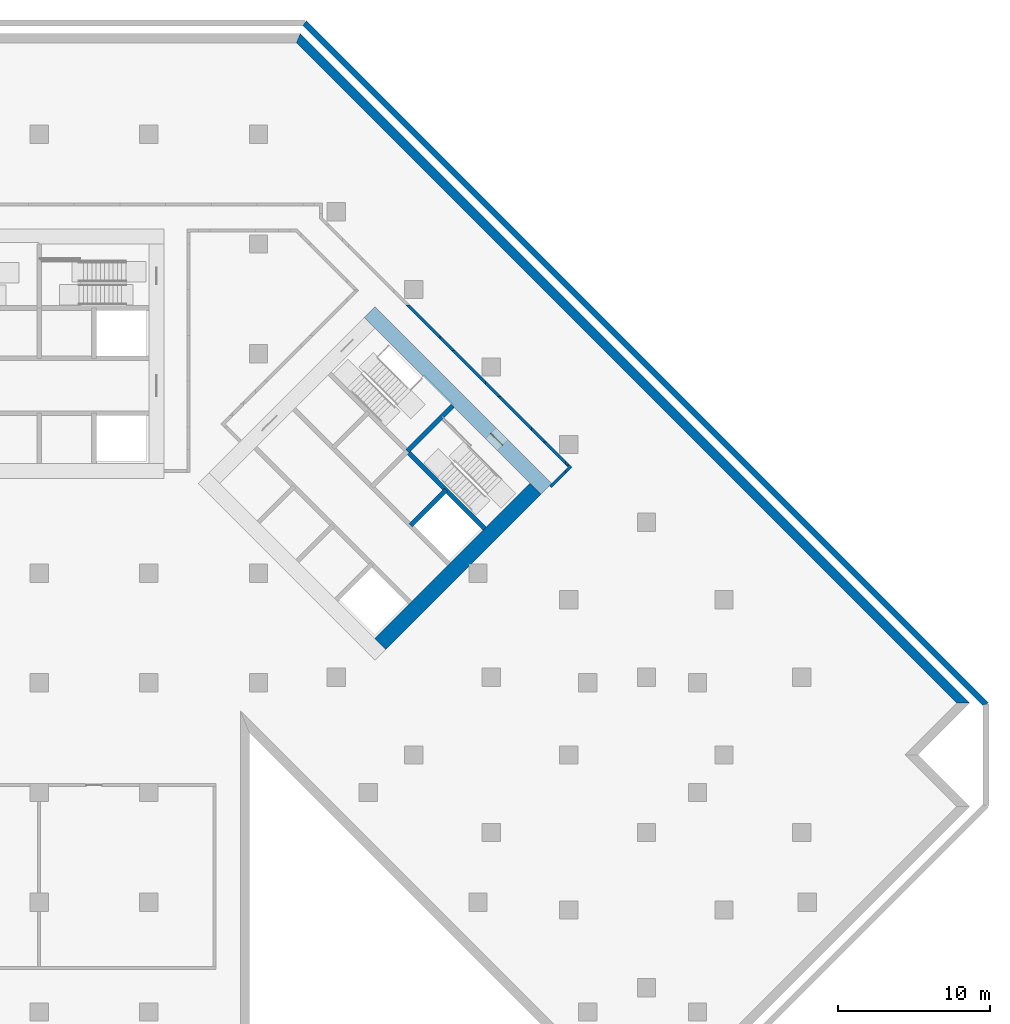
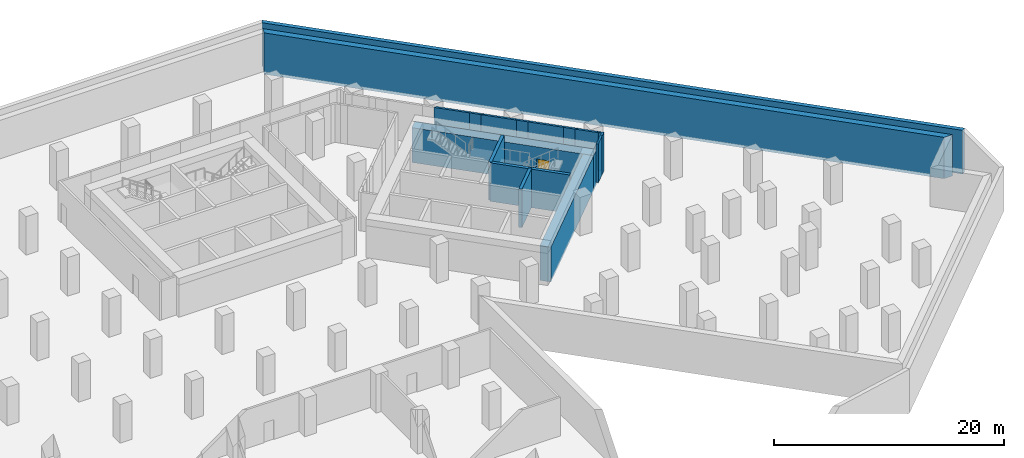
# One storey, part 6 of 11: 17 walls, 1 door, 1 opening.
"""IFC4 building model written with IfcOpenShell, lengths in metres."""

from ifc_helpers import new_model, si_unit, direction, frame, frame_2d, origin, place, context, subcontext, project, spatial, polyline, rectangle, outline, extrude, material, layer, layer_set, type_object, element, fill, save


model = new_model("IFC4")

# Units and contexts
model_context = context("Model", 3, precision=1e-05, world=origin(), true_north=direction((0.0, 1.0)))
body_context = subcontext(model_context, "Body", "Model", "MODEL_VIEW")
ifc_project = project(units=[si_unit("LENGTHUNIT", "METRE"), si_unit("AREAUNIT", "SQUARE_METRE"), si_unit("VOLUMEUNIT", "CUBIC_METRE"), si_unit("PLANEANGLEUNIT", "RADIAN"), si_unit("MASSUNIT", "GRAM", prefix="KILO")], contexts=[model_context])

# Site, building, storey
site_placement = place(None, origin())
site = spatial("IfcSite", under=ifc_project, at=site_placement, CompositionType="ELEMENT")
building_placement = place(site_placement, origin())
building = spatial("IfcBuilding", under=site, at=building_placement, Name="Windrow Commons", CompositionType="ELEMENT")
storey_placement = place(building_placement, frame((0.0, 0.0, -4.5)))
storey = spatial("IfcBuildingStorey", under=building, at=storey_placement, Name="B1", CompositionType="ELEMENT", Elevation=-4.5)

# Walls
ifc_material_1 = material(Name="Blockwork partition", Category="masonry")
ifc_layer_1 = layer(ifc_material_1, 0.2)
ifc_layer_set_1 = layer_set([ifc_layer_1], Name="CP-PART-200")
wall_type_1 = type_object("IfcWallType", Name="CP-PART-200", PredefinedType="PARTITIONING", material=ifc_layer_set_1)
placement = place(storey_placement, origin())
element("IfcWall", 1, at=placement, inside=storey, type_object=wall_type_1, Name="Escape corridor wall 47", PredefinedType="PARTITIONING", context=body_context, shape_type="SweptSolid", body=[
    extrude(outline(polyline([(91.1, 58.8272), (89.1203, 60.8069), (88.8375, 60.8069), (91.1, 58.5444), (91.1, 58.8272)])), origin(), (0.0, 0.0, 1.0), 4.1),
])
element("IfcWall", 2, at=placement, inside=storey, type_object=wall_type_1, Name="Escape corridor wall 48", PredefinedType="PARTITIONING", context=body_context, shape_type="SweptSolid", body=[
    extrude(outline(polyline([(92.1203, 57.8069), (91.1, 58.8272), (91.1, 58.5444), (91.8375, 57.8069), (92.1203, 57.8069)])), origin(), (0.0, 0.0, 1.0), 4.1),
])
element("IfcWall", 3, at=placement, inside=storey, type_object=wall_type_1, Name="Escape corridor wall 49", PredefinedType="PARTITIONING", context=body_context, shape_type="SweptSolid", body=[
    extrude(outline(polyline([(94.1, 55.8272), (92.1203, 57.8069), (91.8375, 57.8069), (94.1, 55.5444), (94.1, 55.8272)])), origin(), (0.0, 0.0, 1.0), 4.1),
])
element("IfcWall", 4, at=placement, inside=storey, type_object=wall_type_1, Name="Escape corridor wall 50", PredefinedType="PARTITIONING", context=body_context, shape_type="SweptSolid", body=[
    extrude(outline(polyline([(95.1203, 54.8069), (94.1, 55.8272), (94.1, 55.5444), (94.8375, 54.8069), (95.1203, 54.8069)])), origin(), (0.0, 0.0, 1.0), 4.1),
])
element("IfcWall", 5, at=placement, inside=storey, type_object=wall_type_1, Name="Escape corridor wall 51", PredefinedType="PARTITIONING", context=body_context, shape_type="SweptSolid", body=[
    extrude(outline(polyline([(97.1, 52.8272), (95.1203, 54.8069), (94.8375, 54.8069), (97.1, 52.5444), (97.1, 52.8272)])), origin(), (0.0, 0.0, 1.0), 4.1),
])
element("IfcWall", 6, at=placement, inside=storey, type_object=wall_type_1, Name="Escape corridor wall 52", PredefinedType="PARTITIONING", context=body_context, shape_type="SweptSolid", body=[
    extrude(outline(polyline([(98.1203, 51.8069), (97.1, 52.8272), (97.1, 52.5444), (97.8375, 51.8069), (98.1203, 51.8069)])), origin(), (0.0, 0.0, 1.0), 4.1),
])
element("IfcWall", 7, at=placement, inside=storey, type_object=wall_type_1, Name="Escape corridor wall 53", PredefinedType="PARTITIONING", context=body_context, shape_type="SweptSolid", body=[
    extrude(outline(polyline([(97.8375, 51.8069), (99.3375, 50.3069), (99.3375, 50.5897), (98.1203, 51.8069), (97.8375, 51.8069)])), origin(), (0.0, 0.0, 1.0), 4.1),
])
element("IfcWall", 8, at=placement, inside=storey, type_object=wall_type_1, Name="Escape corridor wall 54", PredefinedType="PARTITIONING", context=body_context, shape_type="SweptSolid", body=[
    extrude(outline(polyline([(98.4333, 48.8069), (99.3375, 49.7111), (99.3375, 49.9939), (98.2919, 48.9483), (98.4333, 48.8069)])), origin(), (0.0, 0.0, 1.0), 4.1),
])
element("IfcWall", 9, at=placement, inside=storey, type_object=wall_type_1, Name="Escape corridor wall 55", PredefinedType="PARTITIONING", context=body_context, shape_type="SweptSolid", body=[
    extrude(outline(polyline([(99.6203, 50.3069), (99.3375, 50.5897), (99.3375, 50.3069), (99.6203, 50.3069)])), origin(), (0.0, 0.0, 1.0), 4.1),
])
element("IfcWall", 10, at=placement, inside=storey, type_object=wall_type_1, Name="Escape corridor wall 56", PredefinedType="PARTITIONING", context=body_context, shape_type="SweptSolid", body=[
    extrude(outline(polyline([(99.3375, 49.9939), (99.3375, 49.7111), (99.7768, 50.1504), (99.6203, 50.3069), (99.3375, 50.3069), (99.494, 50.1504), (99.3375, 49.9939)])), origin(), (0.0, 0.0, 1.0), 4.1),
])

# Wall, opening, door
ifc_material_2 = material(Name="Concrete C60/75", Category="concrete")
ifc_layer_2 = layer(ifc_material_2, 1.0)
ifc_layer_set_2 = layer_set([ifc_layer_2], Name="RC CORE WALL 1000 C60/75")
wall_type_2 = type_object("IfcWallType", Name="RC CORE WALL 1000 C60/75", PredefinedType="SHEAR", material=ifc_layer_set_2)
wall_11_placement = place(storey_placement, frame((86.4832, 60.3327, -0.3), z_axis=(0.0, 0.0, 1.0), x_axis=(0.70710983, -0.7071037324, 0.0)))
wall_11 = element("IfcWall", 11, at=wall_11_placement, inside=storey, type_object=wall_type_2, Name="Core B wall outer-N", PredefinedType="SHEAR", context=body_context, shape_type="SweptSolid", body=[
    extrude(rectangle(XDim=16.4, YDim=1.0, at=frame_2d((8.2, 0.0))), origin(), (0.0, 0.0, 1.0), 3.7),
])
opening_placement = place(wall_11_placement, frame((11.25, 0.0, 0.3)))
opening = element("IfcOpeningElement", 12, at=opening_placement, cuts=wall_11, Name="Opening B1-D07", PredefinedType="OPENING", context=body_context, shape_type="SweptSolid", body=[
    extrude(rectangle(XDim=1.1, YDim=2.1, at=frame_2d((0.55, 1.05))), frame((0.0, 0.51, 0.0), z_axis=(0.0, -1.0, 0.0), x_axis=(1.0, 0.0, 0.0)), (0.0, 0.0, 1.0), 1.02),
])
ifc_material_3 = material(Name="Steel fire door leaf", Category="steel")
door_type = type_object("IfcDoorType", Name="CP-DOOR-1100", OperationType="SINGLE_SWING_LEFT", PredefinedType="DOOR", material=ifc_material_3)
door_placement = place(opening_placement, origin())
door = element("IfcDoor", 13, at=door_placement, inside=storey, type_object=door_type, Name="D-B1-CORE-BN-7", OperationType="SINGLE_SWING_RIGHT", OverallHeight=2.1, OverallWidth=1.1, PredefinedType="DOOR", context=body_context, shape_type="SweptSolid", body=[
    extrude(rectangle(XDim=1.1, YDim=2.1, at=frame_2d((0.55, 1.05))), frame((0.0, 0.025, 0.0), z_axis=(0.0, -1.0, 0.0), x_axis=(1.0, 0.0, 0.0)), (0.0, 0.0, 1.0), 0.05),
])
fill(opening, door)

# Walls
wall_12_placement = place(storey_placement, frame((87.1903, 38.5538, -0.3), z_axis=(0.0, 0.0, 1.0), x_axis=(0.707103309, 0.7071102534, 0.0)))
element("IfcWall", 14, at=wall_12_placement, inside=storey, type_object=wall_type_2, Name="Core B wall outer-E", PredefinedType="SHEAR", context=body_context, shape_type="SweptSolid", body=[
    extrude(rectangle(XDim=14.4, YDim=1.0, at=frame_2d((7.2, 0.0))), origin(), (0.0, 0.0, 1.0), 3.7),
])
ifc_material_4 = material(Name="Concrete C40/50", Category="concrete")
ifc_layer_3 = layer(ifc_material_4, 0.4)
ifc_layer_set_3 = layer_set([ifc_layer_3], Name="RC RETAINING WALL 400 C40/50")
wall_type_3 = type_object("IfcWallType", Name="RC RETAINING WALL 400 C40/50", PredefinedType="SOLIDWALL", material=ifc_layer_set_3)
wall_13_placement = place(storey_placement, frame((82.2238, 79.3, -0.3), z_axis=(0.0, 0.0, 1.0), x_axis=(0.7071059906, -0.7071075718, 0.0)))
element("IfcWall", 15, at=wall_13_placement, inside=storey, type_object=wall_type_3, Name="Retaining wall raft edge B1-015", PredefinedType="SOLIDWALL", context=body_context, shape_type="SweptSolid", body=[
    extrude(outline(polyline([(0.0414, -0.2), (63.1995, -0.2), (63.2823, 0.2), (-0.0414, 0.2), (0.0414, -0.2)])), origin(), (0.0, 0.0, 1.0), 4.65),
])
ifc_material_5 = material(Name="Concrete C40/50", Category="concrete")
ifc_layer_4 = layer(ifc_material_5, 0.6)
ifc_layer_set_4 = layer_set([ifc_layer_4], Name="RC RETAINING WALL 600 C40/50")
wall_type_4 = type_object("IfcWallType", Name="RC RETAINING WALL 600 C40/50", PredefinedType="SOLIDWALL", material=ifc_layer_set_4)
wall_14_placement = place(storey_placement, frame((0.0, 0.0, -0.3)))
element("IfcWall", 16, at=wall_14_placement, inside=storey, type_object=wall_type_4, Name="Retaining wall B1-09", PredefinedType="SOLIDWALL", context=body_context, shape_type="SweptSolid", body=[
    extrude(outline(polyline([(125.0205, 34.6648), (81.6853, 78.0), (81.9338, 78.6), (125.869, 34.6648), (125.0205, 34.6648)])), origin(), (0.0, 0.0, 1.0), 4.4),
])
ifc_material_6 = material(Name="Concrete C60/75", Category="concrete")
ifc_layer_5 = layer(ifc_material_6, 0.3)
ifc_layer_set_5 = layer_set([ifc_layer_5], Name="RC SHAFT WALL 300 C60/75")
wall_type_5 = type_object("IfcWallType", Name="RC SHAFT WALL 300 C60/75", PredefinedType="SOLIDWALL", material=ifc_layer_set_5)
wall_15_placement = place(storey_placement, frame((89.1702, 46.332, 0.0), z_axis=(0.0, 0.0, 1.0), x_axis=(0.7071067812, 0.7071067812, 0.0)))
element("IfcWall", 17, at=wall_15_placement, inside=storey, type_object=wall_type_5, Name="Core B wall shaft-N3", PredefinedType="SOLIDWALL", context=body_context, shape_type="SweptSolid", body=[
    extrude(rectangle(XDim=3.3001, YDim=0.3, at=frame_2d((1.6501, 0.0))), origin(), (0.0, 0.0, 1.0), 4.1),
])
wall_16_placement = place(storey_placement, frame((88.9581, 51.2111, 0.0), z_axis=(0.0, 0.0, 1.0), x_axis=(0.7070998367, -0.7071137256, 0.0)))
element("IfcWall", 18, at=wall_16_placement, inside=storey, type_object=wall_type_5, Name="Core B wall stair-S2", PredefinedType="SOLIDWALL", context=body_context, shape_type="SweptSolid", body=[
    extrude(rectangle(XDim=7.2, YDim=0.3, at=frame_2d((3.6, 0.0))), origin(), (0.0, 0.0, 1.0), 4.1),
])
wall_17_placement = place(storey_placement, frame((88.9581, 51.2111, 0.0), z_axis=(0.0, 0.0, 1.0), x_axis=(0.7071067812, 0.7071067812, 0.0)))
element("IfcWall", 19, at=wall_17_placement, inside=storey, type_object=wall_type_5, Name="Core B wall stair-mid", PredefinedType="SOLIDWALL", context=body_context, shape_type="SweptSolid", body=[
    extrude(rectangle(XDim=4.1999, YDim=0.3, at=frame_2d((2.1, 0.0))), origin(), (0.0, 0.0, 1.0), 4.1),
])

save(model, "model.ifc")
